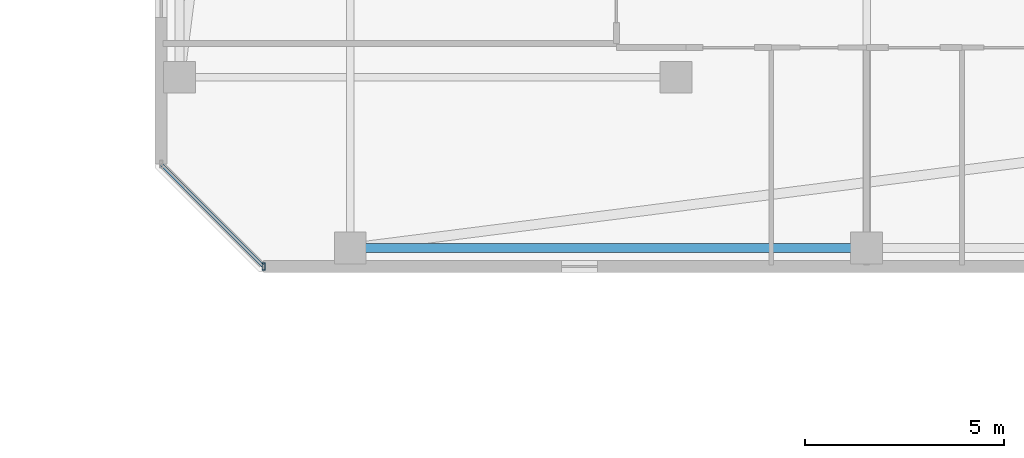
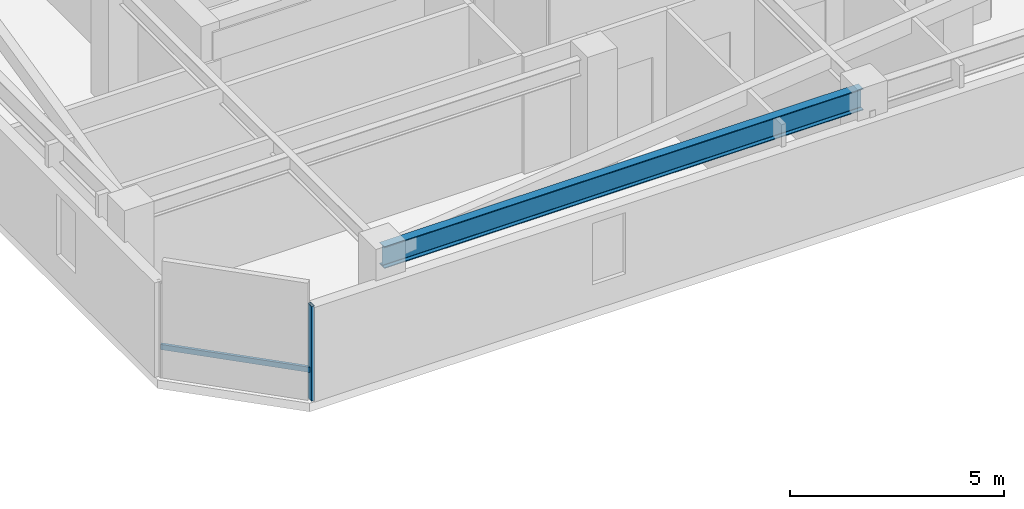
# One storey, part 14 of 35: 2 members, 1 beam, 1 element without a shape of its own.
"""IFC4 building model written with IfcOpenShell, lengths in metres."""

from ifc_helpers import new_model, si_unit, direction, frame, origin, origin_2d, place, context, subcontext, project, spatial, hollow_rectangle, i_section, extrude, material, material_profile, profile_set, type_object, element, aggregate, save


model = new_model("IFC4")

# Units and contexts
model_context = context("Model", 3, precision=1e-05, world=origin(), true_north=direction((0.0, 1.0)))
body_context = subcontext(model_context, "Body", "Model", "MODEL_VIEW")
ifc_project = project(units=[si_unit("LENGTHUNIT", "METRE"), si_unit("AREAUNIT", "SQUARE_METRE"), si_unit("VOLUMEUNIT", "CUBIC_METRE"), si_unit("PLANEANGLEUNIT", "RADIAN"), si_unit("MASSUNIT", "GRAM", prefix="KILO")], contexts=[model_context])

# Site, building, storey
site_placement = place(None, origin())
site = spatial("IfcSite", under=ifc_project, at=site_placement, CompositionType="ELEMENT")
building_placement = place(site_placement, origin())
building = spatial("IfcBuilding", under=site, at=building_placement, Name="Thornwick Lancets Civic Towers", CompositionType="ELEMENT")
storey_placement = place(building_placement, frame((0.0, 0.0, 272.699951171875)))
storey = spatial("IfcBuildingStorey", under=building, at=storey_placement, Name="L73", CompositionType="ELEMENT", Elevation=272.699951171875)

# Beam
ifc_material_1 = material(Name="Steel S355JR", Category="steel")
ifc_material_profile_1 = material_profile(ifc_material_1, i_section(OverallWidth=0.230224609375, OverallDepth=0.6171875, WebThickness=0.01318359375, FlangeThickness=0.022216796875, FilletRadius=0.0126953125, at=origin_2d()), Name="UKB 610x229x140")
ifc_profile_set_1 = profile_set([ifc_material_profile_1], Name="Steel S355JR")
beam_type = type_object("IfcBeamType", Name="BM_GIRD_610_140", PredefinedType="BEAM", material=ifc_profile_set_1)
beam_placement = place(storey_placement, frame((88.419921875, 9.699951171875, 3.051513671875), z_axis=(-1.0, 0.0, 0.0), x_axis=(0.0, -1.0, 0.0)))
element("IfcBeam", 1, at=beam_placement, inside=storey, type_object=beam_type, Name="BM-SPINE-L73-B-10-11", PredefinedType="BEAM", context=body_context, shape_type="SweptSolid", body=[
    extrude(i_section(OverallWidth=0.230224609375, OverallDepth=0.6171875, WebThickness=0.01318359375, FlangeThickness=0.022216796875, FilletRadius=0.0126953125, at=origin_2d()), origin(), (0.0, 0.0, 1.0), 12.919921875),
])

# Curtain wall, members
ifc_material_2 = material(Name="High-zone chamfered-corner unitised glass curtain wall", Category="glass")
curtain_wall_type = type_object("IfcCurtainWallType", Name="CW_SYS_05", PredefinedType="NOTDEFINED", material=ifc_material_2)
curtain_wall_placement = place(storey_placement, origin())
curtain_wall = element("IfcCurtainWall", 2, at=curtain_wall_placement, inside=storey, type_object=curtain_wall_type, Name="L73 Curtain Wall CW-L73-B-E7", PredefinedType="NOTDEFINED")
ifc_material_3 = material(Name="Thermally broken bronze aluminium S355", Category="steel")
ifc_material_profile_2 = material_profile(ifc_material_3, hollow_rectangle(XDim=0.074951171875, YDim=0.179931640625, WallThickness=0.006103515625, at=origin_2d()), Name="RHS 180x75x6")
ifc_profile_set_2 = profile_set([ifc_material_profile_2], Name="Thermally broken bronze aluminium S355")
member_type_1 = type_object("IfcMemberType", Name="CW_MUL_180", PredefinedType="MULLION", material=ifc_profile_set_2)
member_1_placement = place(storey_placement, frame((73.318603515625, 9.2353515625, 0.0), z_axis=(0.0, 0.0, 1.0), x_axis=(1.0, 0.0, 0.0)))
member_1 = element("IfcMember", 3, at=member_1_placement, type_object=member_type_1, Name="CW-L73-B-E7 Mullion 1", PredefinedType="MULLION", context=body_context, shape_type="SweptSolid", body=[
    extrude(hollow_rectangle(XDim=0.074951171875, YDim=0.179931640625, WallThickness=0.006103515625, at=origin_2d()), origin(), (0.0, 0.0, 1.0), 2.699951171875),
])
ifc_material_profile_3 = material_profile(ifc_material_3, hollow_rectangle(XDim=0.074951171875, YDim=0.14990234375, WallThickness=0.0048828125, at=origin_2d()), Name="RHS 150x75x5")
ifc_profile_set_3 = profile_set([ifc_material_profile_3], Name="Thermally broken bronze aluminium S355")
member_type_2 = type_object("IfcMemberType", Name="CW_TRN_150", PredefinedType="USERDEFINED", material=ifc_profile_set_3)
member_2_placement = place(storey_placement, frame((70.74951171875, 11.804443359375, 0.85009765625), z_axis=(0.707106781187, -0.707106781187, 0.0), x_axis=(0.707106781187, 0.707106781187, 0.0)))
member_2 = element("IfcMember", 4, at=member_2_placement, type_object=member_type_2, Name="CW-L73-B-E7 Transom 0", ObjectType="TRANSOM", PredefinedType="USERDEFINED", context=body_context, shape_type="SweptSolid", body=[
    extrude(hollow_rectangle(XDim=0.074951171875, YDim=0.14990234375, WallThickness=0.0048828125, at=origin_2d()), origin(), (0.0, 0.0, 1.0), 3.61328125),
])
aggregate(curtain_wall, [member_1, member_2])

save(model, "model.ifc")
